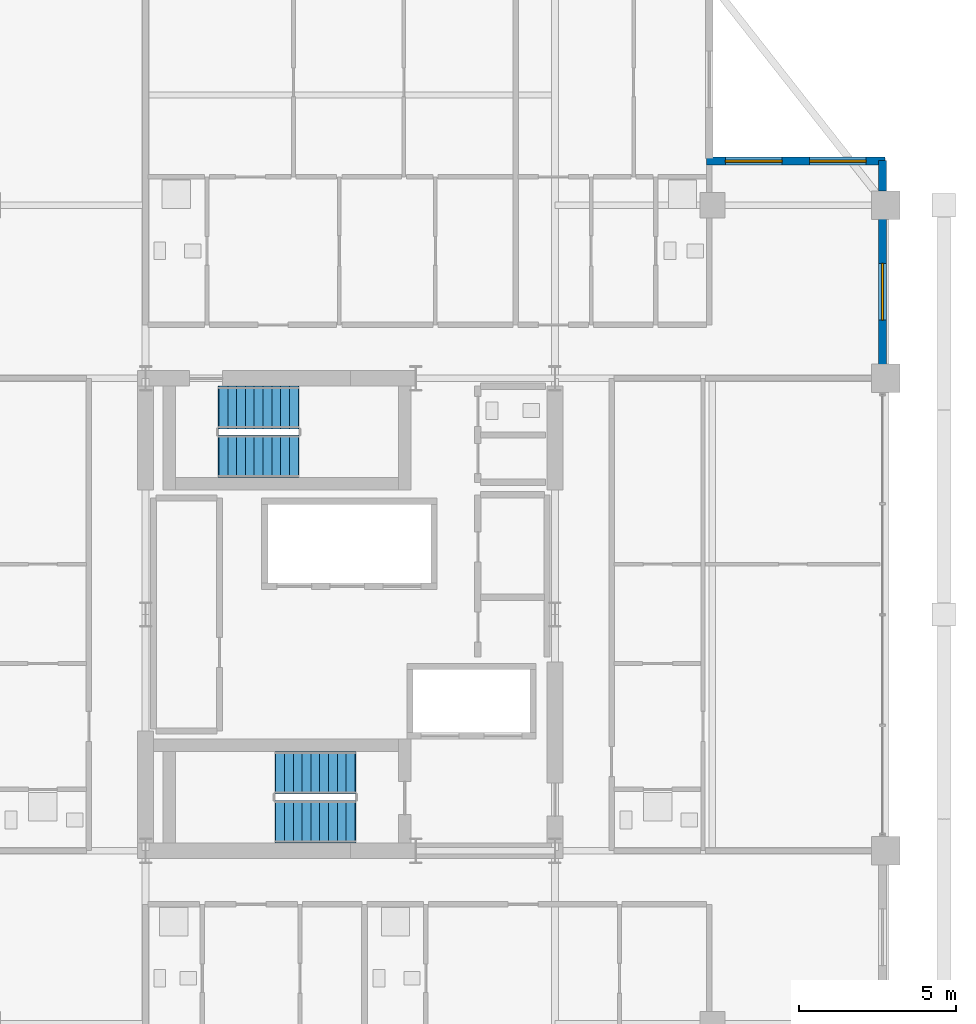
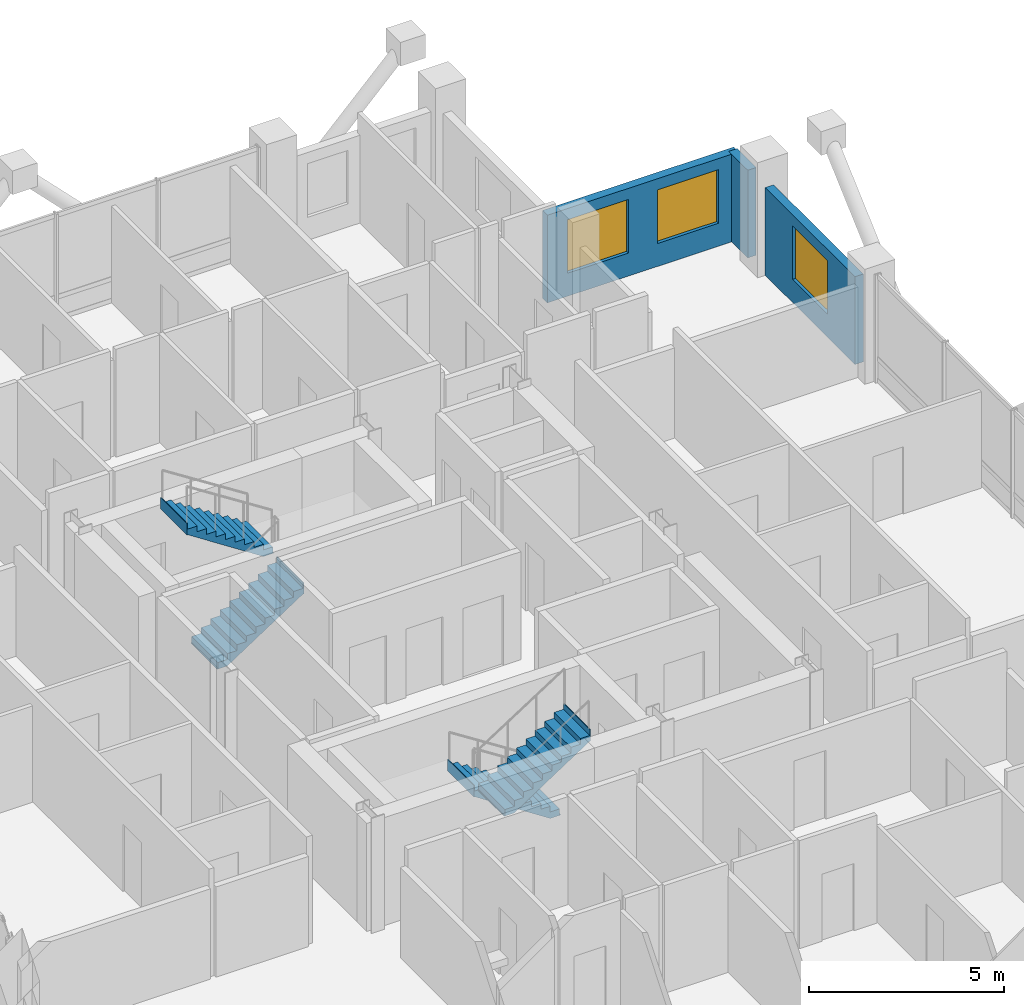
# One storey, part 22 of 24: 4 stair flights, 3 walls, 3 windows, 3 openings, 2 elements without a shape of their own.
"""IFC4 building model written with IfcOpenShell, lengths in metres."""

from ifc_helpers import new_model, si_unit, direction, frame, frame_2d, origin, place, context, subcontext, project, spatial, polyline, rectangle, outline, extrude, material, layer, layer_set, type_object, element, fill, aggregate, save


model = new_model("IFC4")

# Units and contexts
model_context = context("Model", 3, precision=1e-05, world=origin(), true_north=direction((0.0, 1.0)))
body_context = subcontext(model_context, "Body", "Model", "MODEL_VIEW")
ifc_project = project(units=[si_unit("LENGTHUNIT", "METRE"), si_unit("AREAUNIT", "SQUARE_METRE"), si_unit("VOLUMEUNIT", "CUBIC_METRE"), si_unit("PLANEANGLEUNIT", "RADIAN"), si_unit("MASSUNIT", "GRAM", prefix="KILO")], contexts=[model_context])

# Site, building, storey
site_placement = place(None, origin())
site = spatial("IfcSite", under=ifc_project, at=site_placement, CompositionType="ELEMENT")
building_placement = place(site_placement, origin())
building = spatial("IfcBuilding", under=site, at=building_placement, Name="Barlavira Tower and Art Museum", CompositionType="ELEMENT")
storey_placement = place(building_placement, frame((0.0, 0.0, 225.89990234375)))
storey = spatial("IfcBuildingStorey", under=building, at=storey_placement, Name="L58", CompositionType="ELEMENT", Elevation=225.89990234375)

# Wall, opening, window
ifc_material_1 = material(Name="Precast concrete C40", Category="concrete")
ifc_layer = layer(ifc_material_1, 0.25, Name="Precast concrete C40")
ifc_layer_set = layer_set([ifc_layer], Name="Precast concrete C40")
wall_type = type_object("IfcWallType", Name="Notched Corner Spandrel Wall 250 Precast Concrete C40", PredefinedType="SOLIDWALL", material=ifc_layer_set)
wall_1_placement = place(storey_placement, frame((16.89990234375, 7.945068359375, 0.0), z_axis=(0.0, 0.0, 1.0), x_axis=(0.0, 1.0, 0.0)))
wall_1 = element("IfcWall", 1, at=wall_1_placement, inside=storey, type_object=wall_type, Name="L58 Coastal Facade Pier Wall CW4-L58-E-4", PredefinedType="SOLIDWALL", context=body_context, shape_type="SweptSolid", body=[
    extrude(rectangle(XDim=4.60986328125, YDim=0.25, at=frame_2d((2.304931640625, 0.0))), origin(), (0.0, 0.0, 1.0), 2.748046875),
])
opening_1_placement = place(wall_1_placement, frame((1.405029296875, 0.0, 0.719970703125)))
opening_1 = element("IfcOpeningElement", 2, at=opening_1_placement, cuts=wall_1, Name="Opening WN-01", PredefinedType="OPENING", context=body_context, shape_type="SweptSolid", body=[
    extrude(rectangle(XDim=1.800048828125, YDim=1.679931640625, at=frame_2d((0.89990234375, 0.83984375))), frame((0.0, 0.135009765625, 0.0), z_axis=(0.0, -1.0, 0.0), x_axis=(1.0, 0.0, 0.0)), (0.0, 0.0, 1.0), 0.27001953125),
])
ifc_material_2 = material(Name="Low-iron coastal laminated glass", Category="glass")
window_type = type_object("IfcWindowType", Name="Recessed Notch Corner Punch Window 1800x1680", PartitioningType="SINGLE_PANEL", PredefinedType="WINDOW", material=ifc_material_2)
window_1_placement = place(opening_1_placement, origin())
window_1 = element("IfcWindow", 3, at=window_1_placement, inside=storey, type_object=window_type, Name="L58 Punched Facade Window EWP-CW4-L58-E-4-1", OverallHeight=1.679931640625, OverallWidth=1.800048828125, PartitioningType="SINGLE_PANEL", PredefinedType="WINDOW", context=body_context, shape_type="SweptSolid", body=[
    extrude(rectangle(XDim=1.800048828125, YDim=1.679931640625, at=frame_2d((0.89990234375, 0.83984375))), frame((0.0, 0.030029296875, 0.0), z_axis=(0.0, -1.0, 0.0), x_axis=(1.0, 0.0, 0.0)), (0.0, 0.0, 1.0), 0.06005859375),
])
fill(opening_1, window_1)

# Wall
wall_2_placement = place(storey_placement, frame((16.89990234375, 13.445068359375, 0.0), z_axis=(0.0, 0.0, 1.0), x_axis=(0.0, 1.0, 0.0)))
element("IfcWall", 4, at=wall_2_placement, inside=storey, type_object=wall_type, Name="L58 Coastal Facade Pier Wall CW4-L58-E-5", PredefinedType="SOLIDWALL", context=body_context, shape_type="SweptSolid", body=[
    extrude(rectangle(XDim=0.97998046875, YDim=0.25, at=frame_2d((0.489990234375, 0.0))), origin(), (0.0, 0.0, 1.0), 2.748046875),
])

# Wall, openings, windows
wall_3_placement = place(storey_placement, frame((16.97998046875, 14.39990234375, 0.0), z_axis=(0.0, 0.0, 1.0), x_axis=(-1.0, 0.0, 0.0)))
wall_3 = element("IfcWall", 5, at=wall_3_placement, inside=storey, type_object=wall_type, Name="L58 Notch Corner Wall NE1", PredefinedType="SOLIDWALL", context=body_context, shape_type="SweptSolid", body=[
    extrude(rectangle(XDim=5.659912109375, YDim=0.25, at=frame_2d((2.830078125, 0.0))), origin(), (0.0, 0.0, 1.0), 2.748046875),
])
opening_2_placement = place(wall_3_placement, frame((0.594970703125, 0.0, 0.719970703125)))
opening_2 = element("IfcOpeningElement", 6, at=opening_2_placement, cuts=wall_3, Name="Opening WN-01", PredefinedType="OPENING", context=body_context, shape_type="SweptSolid", body=[
    extrude(rectangle(XDim=1.800048828125, YDim=1.679931640625, at=frame_2d((0.89990234375, 0.83984375))), frame((0.0, 0.135009765625, 0.0), z_axis=(0.0, -1.0, 0.0), x_axis=(1.0, 0.0, 0.0)), (0.0, 0.0, 1.0), 0.27001953125),
])
opening_3_placement = place(wall_3_placement, frame((3.264892578125, 0.0, 0.719970703125)))
opening_3 = element("IfcOpeningElement", 7, at=opening_3_placement, cuts=wall_3, Name="Opening WN-01", PredefinedType="OPENING", context=body_context, shape_type="SweptSolid", body=[
    extrude(rectangle(XDim=1.800048828125, YDim=1.679931640625, at=frame_2d((0.89990234375, 0.83984375))), frame((0.0, 0.135009765625, 0.0), z_axis=(0.0, -1.0, 0.0), x_axis=(1.0, 0.0, 0.0)), (0.0, 0.0, 1.0), 0.27001953125),
])
window_2_placement = place(opening_2_placement, origin())
window_2 = element("IfcWindow", 8, at=window_2_placement, inside=storey, type_object=window_type, Name="L58 Punched Facade Window EW-NTC-L58-NE1-1", OverallHeight=1.679931640625, OverallWidth=1.800048828125, PartitioningType="SINGLE_PANEL", PredefinedType="WINDOW", context=body_context, shape_type="SweptSolid", body=[
    extrude(rectangle(XDim=1.800048828125, YDim=1.679931640625, at=frame_2d((0.89990234375, 0.83984375))), frame((0.0, 0.030029296875, 0.0), z_axis=(0.0, -1.0, 0.0), x_axis=(1.0, 0.0, 0.0)), (0.0, 0.0, 1.0), 0.06005859375),
])
fill(opening_2, window_2)
window_3_placement = place(opening_3_placement, origin())
window_3 = element("IfcWindow", 9, at=window_3_placement, inside=storey, type_object=window_type, Name="L58 Punched Facade Window EW-NTC-L58-NE1-2", OverallHeight=1.679931640625, OverallWidth=1.800048828125, PartitioningType="SINGLE_PANEL", PredefinedType="WINDOW", context=body_context, shape_type="SweptSolid", body=[
    extrude(rectangle(XDim=1.800048828125, YDim=1.679931640625, at=frame_2d((0.89990234375, 0.83984375))), frame((0.0, 0.030029296875, 0.0), z_axis=(0.0, -1.0, 0.0), x_axis=(1.0, 0.0, 0.0)), (0.0, 0.0, 1.0), 0.06005859375),
])
fill(opening_3, window_3)

# Stair, stair flights
ifc_material_3 = material(Name="Concrete C45", Category="concrete")
stair_type_1 = type_object("IfcStairType", Name="Tower North Dog-Leg Exit Stair Assembly Concrete C45", PredefinedType="TWO_QUARTER_TURN_STAIR", material=ifc_material_3)
stair_1_placement = place(storey_placement, origin())
stair_1 = element("IfcStair", 10, at=stair_1_placement, inside=storey, type_object=stair_type_1, Name="L58 Tower North Exit Stair ST-T2", PredefinedType="TWO_QUARTER_TURN_STAIR")
ifc_material_4 = material(Name="Precast concrete C45", Category="concrete")
stair_flight_type_1 = type_object("IfcStairFlightType", Name="Tower North Dog-Leg Exit Stair Precast Flight 1350 Concrete C45", PredefinedType="STRAIGHT", material=ifc_material_4)
stair_flight_1_placement = place(storey_placement, frame((-4.169921875, 5.02490234375, 0.0), z_axis=(0.0, 0.0, 1.0), x_axis=(1.0, 0.0, 0.0)))
stair_flight_1 = element("IfcStairFlight", 11, at=stair_flight_1_placement, type_object=stair_flight_type_1, Name="ST-T2 flight 1", NumberOfRisers=10, NumberOfTreads=9, PredefinedType="STRAIGHT", RiserHeight=0.18, TreadLength=0.28, context=body_context, shape_type="SweptSolid", body=[
    extrude(outline(polyline([(-0.02490234375, 0.0), (0.0, 0.0), (0.0, 0.179931640625), (0.280029296875, 0.179931640625), (0.280029296875, 0.360107421875), (0.56005859375, 0.360107421875), (0.56005859375, 0.5400390625), (0.840087890625, 0.5400390625), (0.840087890625, 0.719970703125), (1.1201171875, 0.719970703125), (1.1201171875, 0.89990234375), (1.39990234375, 0.89990234375), (1.39990234375, 1.080078125), (1.679931640625, 1.080078125), (1.679931640625, 1.260009765625), (1.9599609375, 1.260009765625), (1.9599609375, 1.43994140625), (2.239990234375, 1.43994140625), (2.239990234375, 1.6201171875), (2.52001953125, 1.6201171875), (2.52001953125, 1.800048828125), (2.544921875, 1.800048828125), (2.544921875, 1.44189453125), (2.52001953125, 1.44189453125), (0.277099609375, -0.02490234375), (-0.02490234375, -0.02490234375), (-0.02490234375, 0.0)])), frame((0.0, 0.675048828125, 0.0), z_axis=(0.0, -1.0, 0.0), x_axis=(1.0, 0.0, 0.0)), (0.0, 0.0, 1.0), 1.35009765625),
])
stair_flight_2_placement = place(storey_placement, frame((-1.64990234375, 6.574951171875, 1.800048828125), z_axis=(0.0, 0.0, 1.0), x_axis=(-1.0, 0.0, 0.0)))
stair_flight_2 = element("IfcStairFlight", 12, at=stair_flight_2_placement, type_object=stair_flight_type_1, Name="ST-T2 flight 2", NumberOfRisers=10, NumberOfTreads=9, PredefinedType="STRAIGHT", RiserHeight=0.18, TreadLength=0.28, context=body_context, shape_type="SweptSolid", body=[
    extrude(outline(polyline([(-0.02490234375, 0.0), (0.0, 0.0), (0.0, 0.179931640625), (0.280029296875, 0.179931640625), (0.280029296875, 0.360107421875), (0.56005859375, 0.360107421875), (0.56005859375, 0.5400390625), (0.840087890625, 0.5400390625), (0.840087890625, 0.719970703125), (1.1201171875, 0.719970703125), (1.1201171875, 0.89990234375), (1.39990234375, 0.89990234375), (1.39990234375, 1.080078125), (1.679931640625, 1.080078125), (1.679931640625, 1.260009765625), (1.9599609375, 1.260009765625), (1.9599609375, 1.43994140625), (2.239990234375, 1.43994140625), (2.239990234375, 1.6201171875), (2.52001953125, 1.6201171875), (2.52001953125, 1.800048828125), (2.544921875, 1.800048828125), (2.544921875, 1.44189453125), (2.52001953125, 1.44189453125), (0.277099609375, -0.02490234375), (-0.02490234375, -0.02490234375), (-0.02490234375, 0.0)])), frame((0.0, 0.675048828125, 0.0), z_axis=(0.0, -1.0, 0.0), x_axis=(1.0, 0.0, 0.0)), (0.0, 0.0, 1.0), 1.35009765625),
])
aggregate(stair_1, [stair_flight_1, stair_flight_2])

stair_type_2 = type_object("IfcStairType", Name="Tower South Dog-Leg Exit Stair Assembly Concrete C45", PredefinedType="TWO_QUARTER_TURN_STAIR", material=ifc_material_3)
stair_2_placement = place(storey_placement, origin())
stair_2 = element("IfcStair", 13, at=stair_2_placement, inside=storey, type_object=stair_type_2, Name="L58 Tower South Exit Stair ST-T1", PredefinedType="TWO_QUARTER_TURN_STAIR")
stair_flight_type_2 = type_object("IfcStairFlightType", Name="Tower South Dog-Leg Exit Stair Precast Flight 1350 Concrete C45", PredefinedType="STRAIGHT", material=ifc_material_4)
stair_flight_3_placement = place(storey_placement, frame((0.14990234375, -5.02490234375, 0.0), z_axis=(0.0, 0.0, 1.0), x_axis=(-1.0, 0.0, 0.0)))
stair_flight_3 = element("IfcStairFlight", 14, at=stair_flight_3_placement, type_object=stair_flight_type_2, Name="ST-T1 flight 1", NumberOfRisers=10, NumberOfTreads=9, PredefinedType="STRAIGHT", RiserHeight=0.18, TreadLength=0.28, context=body_context, shape_type="SweptSolid", body=[
    extrude(outline(polyline([(-0.02490234375, 0.0), (0.0, 0.0), (0.0, 0.179931640625), (0.280029296875, 0.179931640625), (0.280029296875, 0.360107421875), (0.56005859375, 0.360107421875), (0.56005859375, 0.5400390625), (0.840087890625, 0.5400390625), (0.840087890625, 0.719970703125), (1.1201171875, 0.719970703125), (1.1201171875, 0.89990234375), (1.39990234375, 0.89990234375), (1.39990234375, 1.080078125), (1.679931640625, 1.080078125), (1.679931640625, 1.260009765625), (1.9599609375, 1.260009765625), (1.9599609375, 1.43994140625), (2.239990234375, 1.43994140625), (2.239990234375, 1.6201171875), (2.52001953125, 1.6201171875), (2.52001953125, 1.800048828125), (2.544921875, 1.800048828125), (2.544921875, 1.44189453125), (2.52001953125, 1.44189453125), (0.277099609375, -0.02490234375), (-0.02490234375, -0.02490234375), (-0.02490234375, 0.0)])), frame((0.0, 0.675048828125, 0.0), z_axis=(0.0, -1.0, 0.0), x_axis=(1.0, 0.0, 0.0)), (0.0, 0.0, 1.0), 1.35009765625),
])
stair_flight_4_placement = place(storey_placement, frame((-2.3701171875, -6.574951171875, 1.800048828125), z_axis=(0.0, 0.0, 1.0), x_axis=(1.0, 0.0, 0.0)))
stair_flight_4 = element("IfcStairFlight", 15, at=stair_flight_4_placement, type_object=stair_flight_type_2, Name="ST-T1 flight 2", NumberOfRisers=10, NumberOfTreads=9, PredefinedType="STRAIGHT", RiserHeight=0.18, TreadLength=0.28, context=body_context, shape_type="SweptSolid", body=[
    extrude(outline(polyline([(-0.02490234375, 0.0), (0.0, 0.0), (0.0, 0.179931640625), (0.280029296875, 0.179931640625), (0.280029296875, 0.360107421875), (0.56005859375, 0.360107421875), (0.56005859375, 0.5400390625), (0.840087890625, 0.5400390625), (0.840087890625, 0.719970703125), (1.1201171875, 0.719970703125), (1.1201171875, 0.89990234375), (1.39990234375, 0.89990234375), (1.39990234375, 1.080078125), (1.679931640625, 1.080078125), (1.679931640625, 1.260009765625), (1.9599609375, 1.260009765625), (1.9599609375, 1.43994140625), (2.239990234375, 1.43994140625), (2.239990234375, 1.6201171875), (2.52001953125, 1.6201171875), (2.52001953125, 1.800048828125), (2.544921875, 1.800048828125), (2.544921875, 1.44189453125), (2.52001953125, 1.44189453125), (0.277099609375, -0.02490234375), (-0.02490234375, -0.02490234375), (-0.02490234375, 0.0)])), frame((0.0, 0.675048828125, 0.0), z_axis=(0.0, -1.0, 0.0), x_axis=(1.0, 0.0, 0.0)), (0.0, 0.0, 1.0), 1.35009765625),
])
aggregate(stair_2, [stair_flight_3, stair_flight_4])

save(model, "model.ifc")
